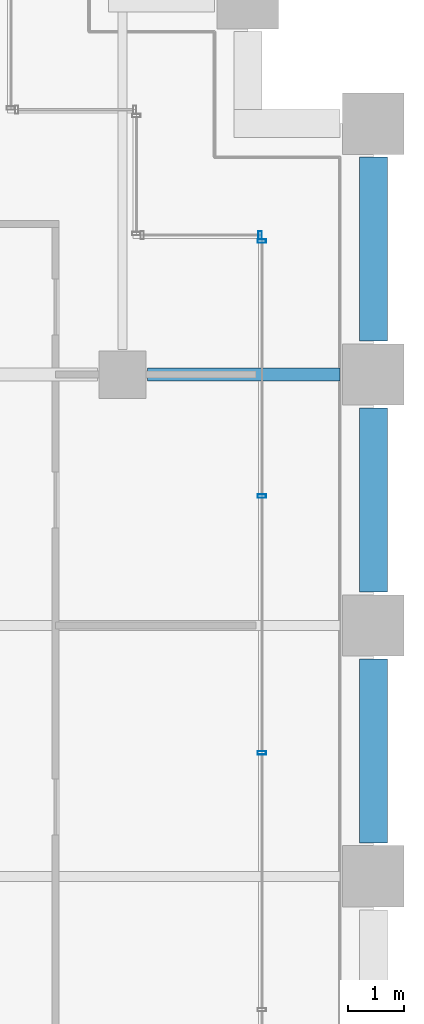
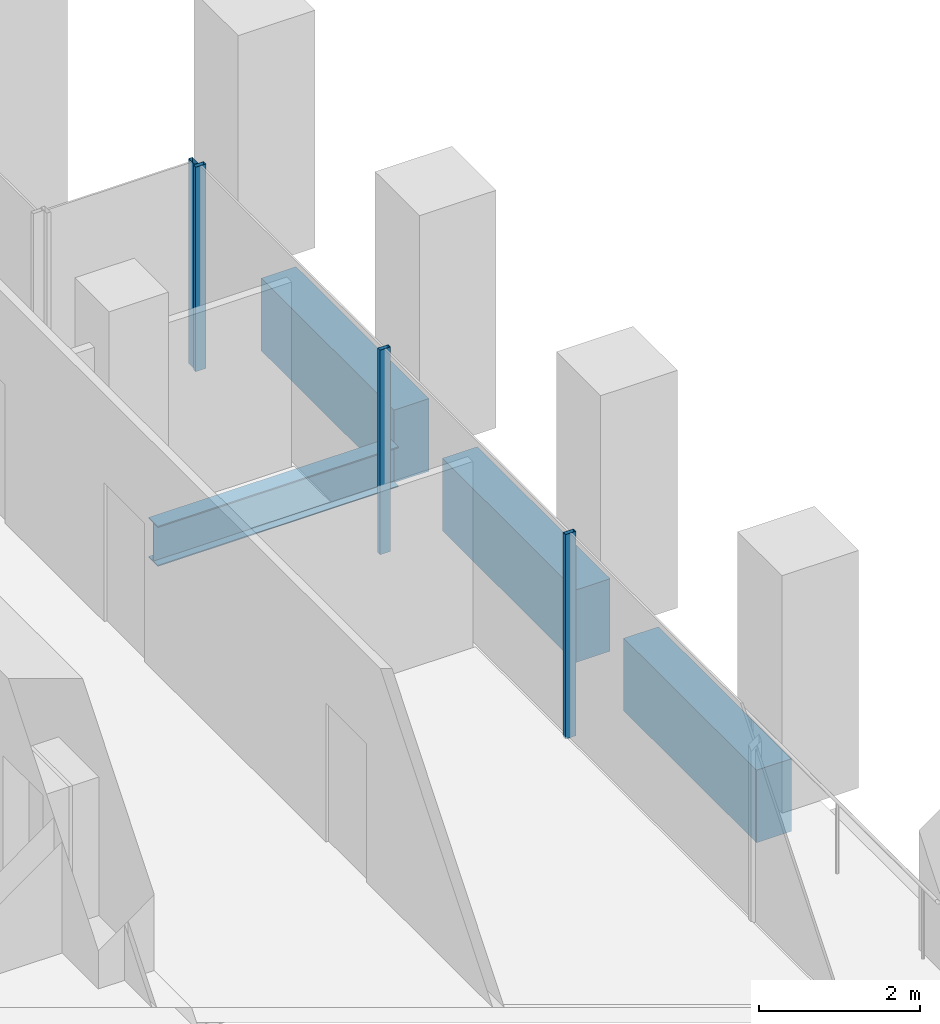
# One storey, part 46 of 55: 4 beams, 4 members, 2 elements without a shape of their own.
"""IFC4 building model written with IfcOpenShell, lengths in metres."""

from ifc_helpers import new_model, si_unit, direction, frame, origin, origin_2d, place, context, subcontext, project, spatial, rectangle, hollow_rectangle, i_section, extrude, material, material_profile, profile_set, type_object, element, aggregate, save


model = new_model("IFC4")

# Units and contexts
model_context = context("Model", 3, precision=1e-05, world=origin(), true_north=direction((0.0, 1.0)))
body_context = subcontext(model_context, "Body", "Model", "MODEL_VIEW")
ifc_project = project(units=[si_unit("LENGTHUNIT", "METRE"), si_unit("AREAUNIT", "SQUARE_METRE"), si_unit("VOLUMEUNIT", "CUBIC_METRE"), si_unit("PLANEANGLEUNIT", "RADIAN"), si_unit("MASSUNIT", "GRAM", prefix="KILO")], contexts=[model_context])

# Site, building, storey
site_placement = place(None, origin())
site = spatial("IfcSite", under=ifc_project, at=site_placement, CompositionType="ELEMENT")
building_placement = place(site_placement, origin())
building = spatial("IfcBuilding", under=site, at=building_placement, Name="Altepetl Exchange Towers", CompositionType="ELEMENT")
storey_placement = place(building_placement, frame((0.0, 0.0, 47.39990234375)))
storey = spatial("IfcBuildingStorey", under=building, at=storey_placement, Name="L10", CompositionType="ELEMENT", Elevation=47.39990234375)

# Beam
ifc_material_1 = material(Name="Steel S355", Category="steel")
ifc_material_profile_1 = material_profile(ifc_material_1, i_section(OverallWidth=0.22802734375, OverallDepth=0.60791015625, WebThickness=0.01123046875, FlangeThickness=0.017333984375, at=origin_2d()), Name="W24X76")
ifc_profile_set_1 = profile_set([ifc_material_profile_1], Name="Steel S355")
beam_type_1 = type_object("IfcBeamType", Name="Girder W24X76", PredefinedType="BEAM", material=ifc_profile_set_1)
beam_1_placement = place(storey_placement, frame((121.949951171875, 49.5, -0.453857421875), z_axis=(1.0, 0.0, 0.0), x_axis=(0.0, 1.0, 0.0)))
element("IfcBeam", 1, at=beam_1_placement, inside=storey, type_object=beam_type_1, Name="gd:B:L10:001", PredefinedType="BEAM", context=body_context, shape_type="SweptSolid", body=[
    extrude(i_section(OverallWidth=0.22802734375, OverallDepth=0.60791015625, WebThickness=0.01123046875, FlangeThickness=0.017333984375, at=origin_2d()), origin(), (0.0, 0.0, 1.0), 3.449951171875),
])

# Curtain wall, members
ifc_material_2 = material(Name="Aluminium 6063-T6 glazing", Category="aluminium")
curtain_wall_type = type_object("IfcCurtainWallType", Name="Loggia glazing system", PredefinedType="NOTDEFINED", material=ifc_material_2)
curtain_wall_1_placement = place(storey_placement, origin())
curtain_wall_1 = element("IfcCurtainWall", 2, at=curtain_wall_1_placement, inside=storey, type_object=curtain_wall_type, Name="CW1 run", PredefinedType="NOTDEFINED")
ifc_material_3 = material(Name="Aluminium 6063-T6", Category="aluminium")
ifc_material_profile_2 = material_profile(ifc_material_3, hollow_rectangle(XDim=0.06005859375, YDim=0.14990234375, WallThickness=0.0029296875, at=origin_2d()), Name="Mullion 60x150 aluminium")
ifc_profile_set_2 = profile_set([ifc_material_profile_2], Name="Aluminium 6063-T6")
member_type = type_object("IfcMemberType", Name="Mullion 60x150 aluminium", PredefinedType="MULLION", material=ifc_profile_set_2)
member_1_placement = place(storey_placement, frame((124.0, 42.71240234375, 0.0), z_axis=(0.0, 0.0, 1.0), x_axis=(0.0, 1.0, 0.0)))
member_1 = element("IfcMember", 3, at=member_1_placement, type_object=member_type, Name="MU1 mullion", PredefinedType="MULLION", context=body_context, shape_type="SweptSolid", body=[
    extrude(hollow_rectangle(XDim=0.06005859375, YDim=0.14990234375, WallThickness=0.0029296875, at=origin_2d()), origin(), (0.0, 0.0, 1.0), 3.10009765625),
])
member_2_placement = place(storey_placement, frame((124.0, 47.31884765625, 0.0), z_axis=(0.0, 0.0, 1.0), x_axis=(0.0, 1.0, 0.0)))
member_2 = element("IfcMember", 4, at=member_2_placement, type_object=member_type, Name="MU1 mullion", PredefinedType="MULLION", context=body_context, shape_type="SweptSolid", body=[
    extrude(hollow_rectangle(XDim=0.06005859375, YDim=0.14990234375, WallThickness=0.0029296875, at=origin_2d()), origin(), (0.0, 0.0, 1.0), 3.10009765625),
])
member_3_placement = place(storey_placement, frame((124.0, 51.89501953125, 0.0), z_axis=(0.0, 0.0, 1.0), x_axis=(0.0, 1.0, 0.0)))
member_3 = element("IfcMember", 5, at=member_3_placement, type_object=member_type, Name="MU1 mullion", PredefinedType="MULLION", context=body_context, shape_type="SweptSolid", body=[
    extrude(hollow_rectangle(XDim=0.06005859375, YDim=0.14990234375, WallThickness=0.0029296875, at=origin_2d()), origin(), (0.0, 0.0, 1.0), 3.10009765625),
])
aggregate(curtain_wall_1, [member_1, member_2, member_3])

# Curtain wall, member
curtain_wall_2_placement = place(storey_placement, origin())
curtain_wall_2 = element("IfcCurtainWall", 6, at=curtain_wall_2_placement, inside=storey, type_object=curtain_wall_type, Name="CW1 run", PredefinedType="NOTDEFINED")
member_4_placement = place(storey_placement, frame((123.969970703125, 52.0, 0.0), z_axis=(0.0, 0.0, 1.0), x_axis=(-1.0, 0.0, 0.0)))
member_4 = element("IfcMember", 7, at=member_4_placement, type_object=member_type, Name="MU1 mullion", PredefinedType="MULLION", context=body_context, shape_type="SweptSolid", body=[
    extrude(hollow_rectangle(XDim=0.06005859375, YDim=0.14990234375, WallThickness=0.0029296875, at=origin_2d()), origin(), (0.0, 0.0, 1.0), 3.10009765625),
])
aggregate(curtain_wall_2, [member_4])

# Beams
ifc_material_4 = material(Name="Concrete C50/60 precast with cantera amarilla facing", Category="concrete")
ifc_material_profile_3 = material_profile(ifc_material_4, rectangle(XDim=0.5, YDim=1.10009765625, at=origin_2d()), Name="500 x 1100")
ifc_profile_set_3 = profile_set([ifc_material_profile_3], Name="Concrete C50/60 precast with cantera amarilla facing")
beam_type_2 = type_object("IfcBeamType", Name="Spandrel beam 500x1100 cantera amarilla", PredefinedType="SPANDREL", material=ifc_profile_set_3)
beam_2_placement = place(storey_placement, frame((126.0, 50.10009765625, -0.699951171875), z_axis=(0.0, 1.0, 0.0), x_axis=(-1.0, 0.0, 0.0)))
element("IfcBeam", 8, at=beam_2_placement, inside=storey, type_object=beam_type_2, Name="sp:B:L10:013", PredefinedType="SPANDREL", context=body_context, shape_type="SweptSolid", body=[
    extrude(rectangle(XDim=0.5, YDim=1.10009765625, at=origin_2d()), origin(), (0.0, 0.0, 1.0), 3.2998046875),
])
ifc_material_5 = material(Name="Concrete C50/60 precast with cantera blanca facing", Category="concrete")
ifc_material_profile_4 = material_profile(ifc_material_5, rectangle(XDim=0.5, YDim=1.10009765625, at=origin_2d()), Name="500 x 1100")
ifc_profile_set_4 = profile_set([ifc_material_profile_4], Name="Concrete C50/60 precast with cantera blanca facing")
beam_type_3 = type_object("IfcBeamType", Name="Spandrel beam 500x1100 cantera blanca", PredefinedType="SPANDREL", material=ifc_profile_set_4)
for number, where, z_axis, x_axis, name in (
    (9, (126.0, 41.10009765625, -0.699951171875), (0.0, 1.0, 0.0), (-1.0, 0.0, 0.0), "sp:B:L10:011"),
    (10, (126.0, 45.60009765625, -0.699951171875), (0.0, 1.0, 0.0), (-1.0, 0.0, 0.0), "sp:B:L10:012"),
):
    element("IfcBeam", number, at=place(storey_placement, frame(where, z_axis=z_axis, x_axis=x_axis)), inside=storey, type_object=beam_type_3, Name=name, PredefinedType="SPANDREL", context=body_context, shape_type="SweptSolid", body=[
        extrude(rectangle(XDim=0.5, YDim=1.10009765625, at=origin_2d()), origin(), (0.0, 0.0, 1.0), 3.2998046875),
    ])

save(model, "model.ifc")
